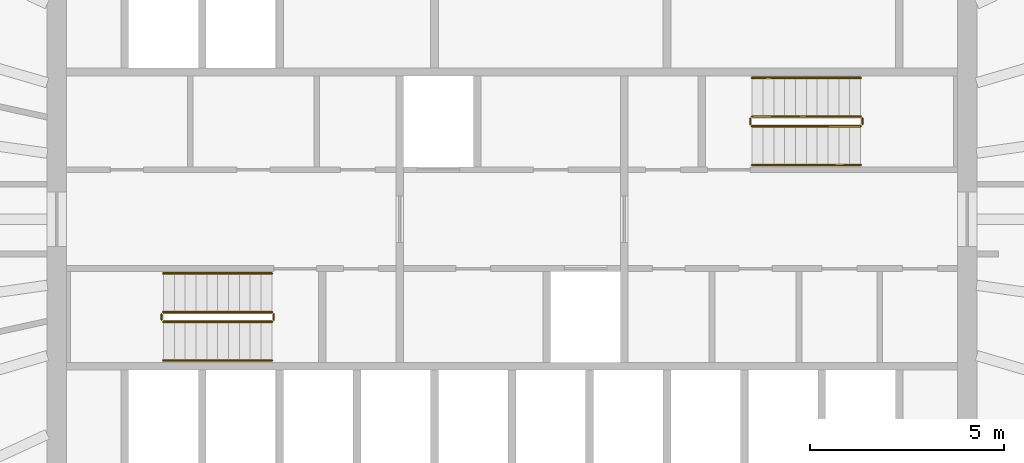
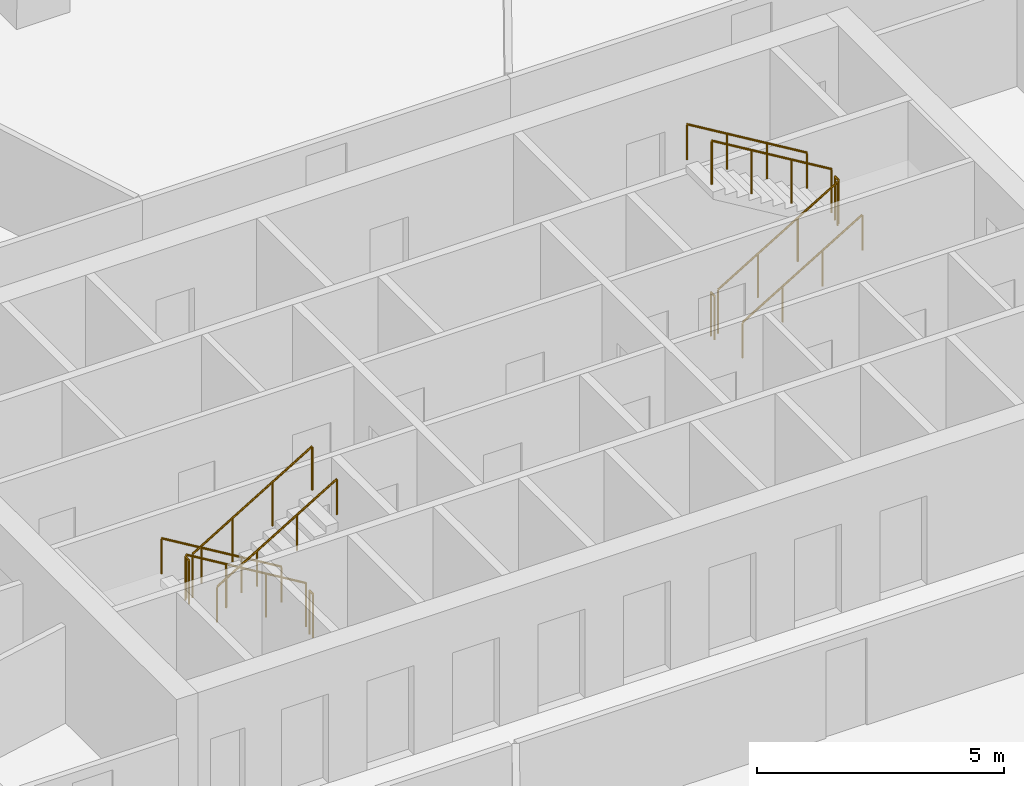
# One storey, part 11 of 11: 12 railings.
"""IFC4 building model written with IfcOpenShell, lengths in metres."""

from ifc_helpers import new_model, si_unit, direction, frame, origin, origin_2d, place, context, subcontext, project, spatial, circle, extrude, material, type_object, element, save


model = new_model("IFC4")

# Units and contexts
model_context = context("Model", 3, precision=1e-05, world=origin(), true_north=direction((0.0, 1.0)))
body_context = subcontext(model_context, "Body", "Model", "MODEL_VIEW")
ifc_project = project(units=[si_unit("LENGTHUNIT", "METRE"), si_unit("AREAUNIT", "SQUARE_METRE"), si_unit("VOLUMEUNIT", "CUBIC_METRE"), si_unit("PLANEANGLEUNIT", "RADIAN"), si_unit("MASSUNIT", "GRAM", prefix="KILO")], contexts=[model_context])

# Site, building, storey
site_placement = place(None, origin())
site = spatial("IfcSite", under=ifc_project, at=site_placement, CompositionType="ELEMENT")
building_placement = place(site_placement, origin())
building = spatial("IfcBuilding", under=site, at=building_placement, Name="Siaravel Broadcast Tower", CompositionType="ELEMENT")
storey_placement = place(building_placement, frame((0.0, 0.0, 123.0)))
storey = spatial("IfcBuildingStorey", under=building, at=storey_placement, Name="L29", CompositionType="ELEMENT", Elevation=123.0)

# Railings
ifc_material = material(Name="Stainless steel 316L", Category="steel")
railing_type_1 = type_object("IfcRailingType", Name="Stair guard 1100", PredefinedType="GUARDRAIL", material=ifc_material)
railing_1_placement = place(storey_placement, frame((-6.199951171875, -2.39990234375, 0.168212890625)))
element("IfcRailing", 1, at=railing_1_placement, inside=storey, type_object=railing_type_1, Name="L29 ST-1 stair guard 1", PredefinedType="GUARDRAIL", context=body_context, shape_type="SweptSolid", body=[
    extrude(circle(Radius=0.02392578125, at=origin_2d()), frame((0.0, 0.0, 1.076171875), z_axis=(-0.857242211, 0.0, 0.514913383), x_axis=(0.0, -1.0, 0.0)), (0.0, 0.0, 1.0), 3.266357421875),
    extrude(circle(Radius=0.02099609375, at=origin_2d()), origin(), (0.0, 0.0, 1.0), 1.052001953125),
    extrude(circle(Radius=0.02099609375, at=origin_2d()), frame((-0.933349609375, 0.0, 0.560546875)), (0.0, 0.0, 1.0), 1.052001953125),
    extrude(circle(Radius=0.02099609375, at=origin_2d()), frame((-1.86669921875, 0.0, 1.121337890625)), (0.0, 0.0, 1.0), 1.052001953125),
    extrude(circle(Radius=0.02099609375, at=origin_2d()), frame((-2.800048828125, 0.0, 1.681884765625)), (0.0, 0.0, 1.0), 1.052001953125),
])
railing_2_placement = place(storey_placement, frame((-9.050048828125, -2.449951171875, 1.85009765625)))
element("IfcRailing", 2, at=railing_2_placement, inside=storey, type_object=railing_type_1, Name="L29 ST-1 stair guard 2", PredefinedType="GUARDRAIL", context=body_context, shape_type="SweptSolid", body=[
    extrude(circle(Radius=0.02392578125, at=origin_2d()), frame((0.0, 0.0, 1.076171875), z_axis=(0.0, -1.0, 0.0), x_axis=(1.0, 0.0, 0.0)), (0.0, 0.0, 1.0), 0.150146484375),
    extrude(circle(Radius=0.02099609375, at=origin_2d()), origin(), (0.0, 0.0, 1.0), 1.052001953125),
    extrude(circle(Radius=0.02099609375, at=origin_2d()), frame((0.0, -0.150146484375, 0.0)), (0.0, 0.0, 1.0), 1.052001953125),
])
railing_3_placement = place(storey_placement, frame((-9.0, -2.64990234375, 2.01806640625)))
element("IfcRailing", 3, at=railing_3_placement, inside=storey, type_object=railing_type_1, Name="L29 ST-1 stair guard 3", PredefinedType="GUARDRAIL", context=body_context, shape_type="SweptSolid", body=[
    extrude(circle(Radius=0.02392578125, at=origin_2d()), frame((0.0, 0.0, 1.076171875), z_axis=(0.857242211, 0.0, 0.514913383), x_axis=(0.0, 1.0, 0.0)), (0.0, 0.0, 1.0), 3.266357421875),
    extrude(circle(Radius=0.02099609375, at=origin_2d()), origin(), (0.0, 0.0, 1.0), 1.052001953125),
    extrude(circle(Radius=0.02099609375, at=origin_2d()), frame((0.933349609375, 0.0, 0.560546875)), (0.0, 0.0, 1.0), 1.052001953125),
    extrude(circle(Radius=0.02099609375, at=origin_2d()), frame((1.86669921875, 0.0, 1.121337890625)), (0.0, 0.0, 1.0), 1.052001953125),
    extrude(circle(Radius=0.02099609375, at=origin_2d()), frame((2.800048828125, 0.0, 1.681884765625)), (0.0, 0.0, 1.0), 1.052001953125),
])
railing_4_placement = place(storey_placement, frame((-6.14990234375, -2.449951171875, 0.0)))
element("IfcRailing", 4, at=railing_4_placement, inside=storey, type_object=railing_type_1, Name="L29 ST-1 stair guard 4", PredefinedType="GUARDRAIL", context=body_context, shape_type="SweptSolid", body=[
    extrude(circle(Radius=0.02392578125, at=origin_2d()), frame((0.0, 0.0, 1.076171875), z_axis=(0.0, -1.0, 0.0), x_axis=(1.0, 0.0, 0.0)), (0.0, 0.0, 1.0), 0.150146484375),
    extrude(circle(Radius=0.02099609375, at=origin_2d()), origin(), (0.0, 0.0, 1.0), 1.052001953125),
    extrude(circle(Radius=0.02099609375, at=origin_2d()), frame((0.0, -0.150146484375, 0.0)), (0.0, 0.0, 1.0), 1.052001953125),
])
railing_5_placement = place(storey_placement, frame((6.199951171875, 2.39990234375, 0.168212890625)))
element("IfcRailing", 5, at=railing_5_placement, inside=storey, type_object=railing_type_1, Name="L29 ST-2 stair guard 1", PredefinedType="GUARDRAIL", context=body_context, shape_type="SweptSolid", body=[
    extrude(circle(Radius=0.02392578125, at=origin_2d()), frame((0.0, 0.0, 1.076171875), z_axis=(0.857242211, 0.0, 0.514913383), x_axis=(0.0, 1.0, 0.0)), (0.0, 0.0, 1.0), 3.266357421875),
    extrude(circle(Radius=0.02099609375, at=origin_2d()), origin(), (0.0, 0.0, 1.0), 1.052001953125),
    extrude(circle(Radius=0.02099609375, at=origin_2d()), frame((0.933349609375, 0.0, 0.560546875)), (0.0, 0.0, 1.0), 1.052001953125),
    extrude(circle(Radius=0.02099609375, at=origin_2d()), frame((1.86669921875, 0.0, 1.121337890625)), (0.0, 0.0, 1.0), 1.052001953125),
    extrude(circle(Radius=0.02099609375, at=origin_2d()), frame((2.800048828125, 0.0, 1.681884765625)), (0.0, 0.0, 1.0), 1.052001953125),
])
railing_6_placement = place(storey_placement, frame((9.050048828125, 2.449951171875, 1.85009765625)))
element("IfcRailing", 6, at=railing_6_placement, inside=storey, type_object=railing_type_1, Name="L29 ST-2 stair guard 2", PredefinedType="GUARDRAIL", context=body_context, shape_type="SweptSolid", body=[
    extrude(circle(Radius=0.02392578125, at=origin_2d()), frame((0.0, 0.0, 1.076171875), z_axis=(0.0, 1.0, 0.0), x_axis=(-1.0, 0.0, 0.0)), (0.0, 0.0, 1.0), 0.150146484375),
    extrude(circle(Radius=0.02099609375, at=origin_2d()), origin(), (0.0, 0.0, 1.0), 1.052001953125),
    extrude(circle(Radius=0.02099609375, at=origin_2d()), frame((0.0, 0.150146484375, 0.0)), (0.0, 0.0, 1.0), 1.052001953125),
])
railing_7_placement = place(storey_placement, frame((9.0, 2.64990234375, 2.01806640625)))
element("IfcRailing", 7, at=railing_7_placement, inside=storey, type_object=railing_type_1, Name="L29 ST-2 stair guard 3", PredefinedType="GUARDRAIL", context=body_context, shape_type="SweptSolid", body=[
    extrude(circle(Radius=0.02392578125, at=origin_2d()), frame((0.0, 0.0, 1.076171875), z_axis=(-0.857242211, 0.0, 0.514913383), x_axis=(0.0, -1.0, 0.0)), (0.0, 0.0, 1.0), 3.266357421875),
    extrude(circle(Radius=0.02099609375, at=origin_2d()), origin(), (0.0, 0.0, 1.0), 1.052001953125),
    extrude(circle(Radius=0.02099609375, at=origin_2d()), frame((-0.933349609375, 0.0, 0.560546875)), (0.0, 0.0, 1.0), 1.052001953125),
    extrude(circle(Radius=0.02099609375, at=origin_2d()), frame((-1.86669921875, 0.0, 1.121337890625)), (0.0, 0.0, 1.0), 1.052001953125),
    extrude(circle(Radius=0.02099609375, at=origin_2d()), frame((-2.800048828125, 0.0, 1.681884765625)), (0.0, 0.0, 1.0), 1.052001953125),
])
railing_8_placement = place(storey_placement, frame((6.14990234375, 2.449951171875, 0.0)))
element("IfcRailing", 8, at=railing_8_placement, inside=storey, type_object=railing_type_1, Name="L29 ST-2 stair guard 4", PredefinedType="GUARDRAIL", context=body_context, shape_type="SweptSolid", body=[
    extrude(circle(Radius=0.02392578125, at=origin_2d()), frame((0.0, 0.0, 1.076171875), z_axis=(0.0, 1.0, 0.0), x_axis=(-1.0, 0.0, 0.0)), (0.0, 0.0, 1.0), 0.150146484375),
    extrude(circle(Radius=0.02099609375, at=origin_2d()), origin(), (0.0, 0.0, 1.0), 1.052001953125),
    extrude(circle(Radius=0.02099609375, at=origin_2d()), frame((0.0, 0.150146484375, 0.0)), (0.0, 0.0, 1.0), 1.052001953125),
])
railing_type_2 = type_object("IfcRailingType", Name="Stair handrail 900", PredefinedType="HANDRAIL", material=ifc_material)
railing_9_placement = place(storey_placement, frame((-6.199951171875, -1.39990234375, 0.168212890625)))
element("IfcRailing", 9, at=railing_9_placement, inside=storey, type_object=railing_type_2, Name="L29 ST-1 stair handrail 1", PredefinedType="HANDRAIL", context=body_context, shape_type="SweptSolid", body=[
    extrude(circle(Radius=0.02392578125, at=origin_2d()), frame((0.0, 0.0, 0.8759765625), z_axis=(-0.857242211, 0.0, 0.514913383), x_axis=(0.0, -1.0, 0.0)), (0.0, 0.0, 1.0), 3.266357421875),
    extrude(circle(Radius=0.02099609375, at=origin_2d()), origin(), (0.0, 0.0, 1.0), 0.851806640625),
    extrude(circle(Radius=0.02099609375, at=origin_2d()), frame((-0.933349609375, 0.0, 0.560546875)), (0.0, 0.0, 1.0), 0.851806640625),
    extrude(circle(Radius=0.02099609375, at=origin_2d()), frame((-1.86669921875, 0.0, 1.121337890625)), (0.0, 0.0, 1.0), 0.851806640625),
    extrude(circle(Radius=0.02099609375, at=origin_2d()), frame((-2.800048828125, 0.0, 1.681884765625)), (0.0, 0.0, 1.0), 0.851806640625),
])
for number, where, name in (
    (10, (-9.0, -3.64990234375, 2.01806640625), "L29 ST-1 stair handrail 2"),
    (11, (6.199951171875, 1.39990234375, 0.168212890625), "L29 ST-2 stair handrail 1"),
):
    element("IfcRailing", number, at=place(storey_placement, frame(where)), inside=storey, type_object=railing_type_2, Name=name, PredefinedType="HANDRAIL", context=body_context, shape_type="SweptSolid", body=[
        extrude(circle(Radius=0.02392578125, at=origin_2d()), frame((0.0, 0.0, 0.8759765625), z_axis=(0.857242211, 0.0, 0.514913383), x_axis=(0.0, 1.0, 0.0)), (0.0, 0.0, 1.0), 3.266357421875),
        extrude(circle(Radius=0.02099609375, at=origin_2d()), origin(), (0.0, 0.0, 1.0), 0.851806640625),
        extrude(circle(Radius=0.02099609375, at=origin_2d()), frame((0.933349609375, 0.0, 0.560546875)), (0.0, 0.0, 1.0), 0.851806640625),
        extrude(circle(Radius=0.02099609375, at=origin_2d()), frame((1.86669921875, 0.0, 1.121337890625)), (0.0, 0.0, 1.0), 0.851806640625),
        extrude(circle(Radius=0.02099609375, at=origin_2d()), frame((2.800048828125, 0.0, 1.681884765625)), (0.0, 0.0, 1.0), 0.851806640625),
    ])
railing_10_placement = place(storey_placement, frame((9.0, 3.64990234375, 2.01806640625)))
element("IfcRailing", 12, at=railing_10_placement, inside=storey, type_object=railing_type_2, Name="L29 ST-2 stair handrail 2", PredefinedType="HANDRAIL", context=body_context, shape_type="SweptSolid", body=[
    extrude(circle(Radius=0.02392578125, at=origin_2d()), frame((0.0, 0.0, 0.8759765625), z_axis=(-0.857242211, 0.0, 0.514913383), x_axis=(0.0, -1.0, 0.0)), (0.0, 0.0, 1.0), 3.266357421875),
    extrude(circle(Radius=0.02099609375, at=origin_2d()), origin(), (0.0, 0.0, 1.0), 0.851806640625),
    extrude(circle(Radius=0.02099609375, at=origin_2d()), frame((-0.933349609375, 0.0, 0.560546875)), (0.0, 0.0, 1.0), 0.851806640625),
    extrude(circle(Radius=0.02099609375, at=origin_2d()), frame((-1.86669921875, 0.0, 1.121337890625)), (0.0, 0.0, 1.0), 0.851806640625),
    extrude(circle(Radius=0.02099609375, at=origin_2d()), frame((-2.800048828125, 0.0, 1.681884765625)), (0.0, 0.0, 1.0), 0.851806640625),
])

save(model, "model.ifc")
